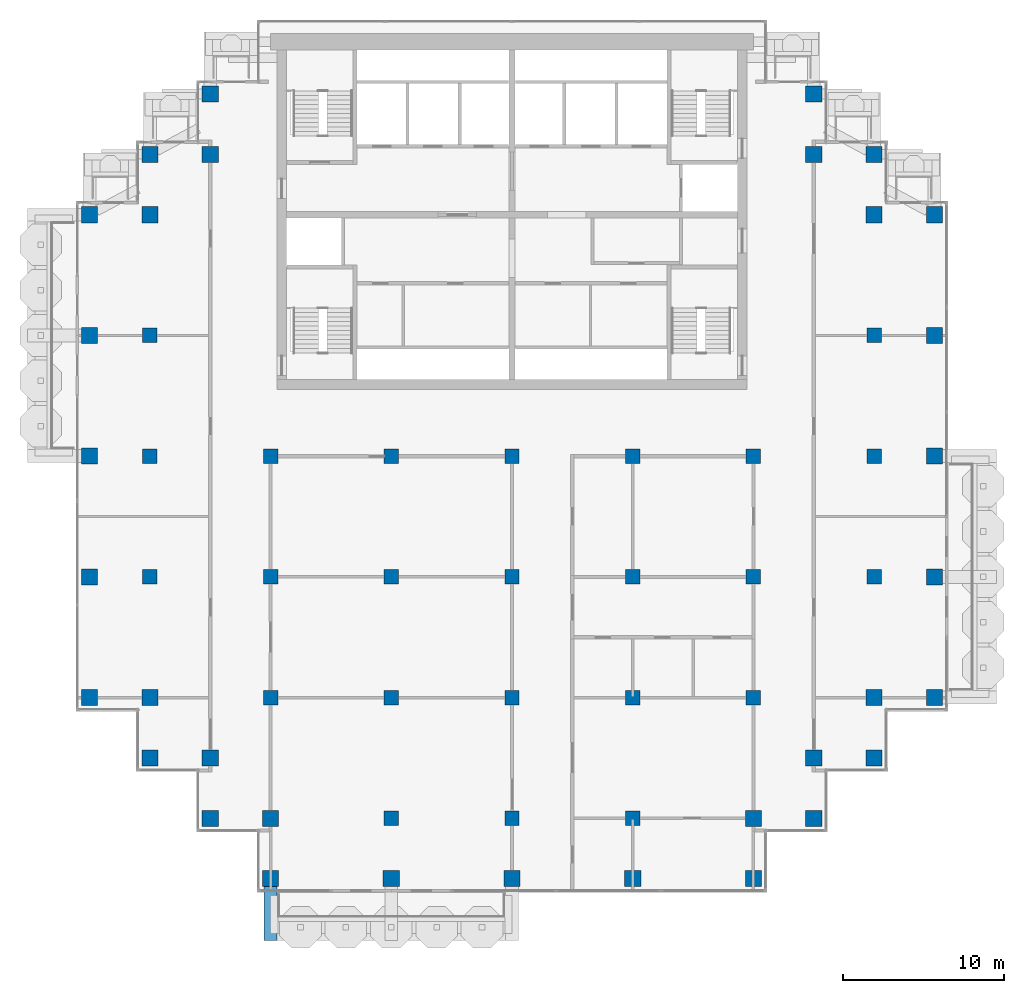
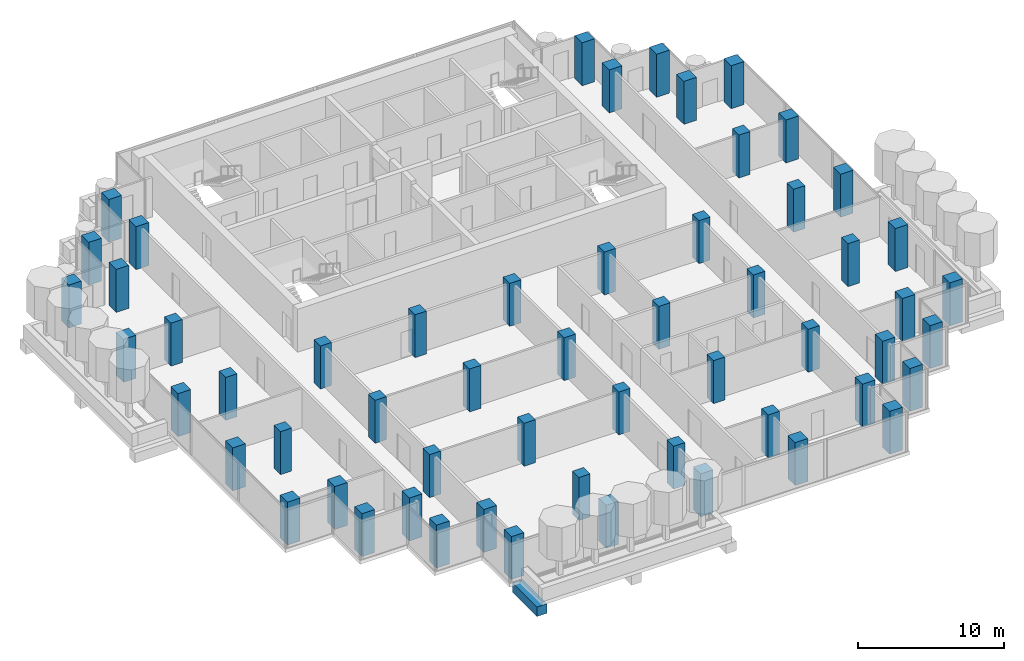
# One storey, part 1 of 18: 57 columns, 1 beam.
"""IFC4 building model written with IfcOpenShell, lengths in metres."""

import ifcopenshell
import ifcopenshell.guid

model = None  # the IFC model being written
_history = None  # IfcOwnerHistory: only IFC2X3 demands one
_inside = {}  # id of a spatial element -> (the spatial element, [elements in it])
_under = {}  # id of a project, library or spatial element -> (it, [spatial elements below it])
_declared = {}  # id of a project -> (the project, [libraries it declares])
_typed = {}  # id of a type object -> (the type object, [elements of that type])
_made_of = {}  # id of a material, layer set ... -> (it, [elements and type objects made of it])


def new_model(schema):
    """Start an empty IFC model of exactly this schema.

    Asked for "IFC4X3", IfcOpenShell would pick the latest addendum, in which some entities
    have other attributes; the version numbers below select the first issue.
    IFC2X3 requires an IfcOwnerHistory on every rooted entity: one is made here for all.
    """
    global model, _history
    if schema == "IFC4X3":
        model = ifcopenshell.file(schema_version=(4, 3, 0, 0))
    else:
        model = ifcopenshell.file(schema=schema)
    _inside.clear()
    _under.clear()
    _declared.clear()
    _typed.clear()
    _made_of.clear()
    _history = None
    if model.schema == "IFC2X3":
        org = make("IfcOrganization", Name="unknown")
        user = make(
            "IfcPersonAndOrganization",
            ThePerson=make("IfcPerson", FamilyName="unknown"),
            TheOrganization=org,
        )
        app = make(
            "IfcApplication",
            ApplicationDeveloper=org,
            Version="unknown",
            ApplicationFullName="unknown",
            ApplicationIdentifier="unknown",
        )
        _history = make(
            "IfcOwnerHistory",
            OwningUser=user,
            OwningApplication=app,
            ChangeAction="ADDED",
            CreationDate=0,
        )
    return model


def make(cls, **values):
    """One entity of the class cls with the attributes given. An attribute that is None is left unset."""
    return model.create_entity(
        cls, **{name: value for name, value in values.items() if value is not None}
    )


def rooted(cls, **values):
    """An entity with a GlobalId (a new one), such as an element, a storey or a relation."""
    return make(cls, GlobalId=ifcopenshell.guid.new(), OwnerHistory=_history, **values)


def si_unit(unit_type, name, prefix=None):
    """IfcSIUnit, for example si_unit("LENGTHUNIT", "METRE", prefix="MILLI")."""
    return make("IfcSIUnit", UnitType=unit_type, Prefix=prefix, Name=name)


def assignment(units):
    """IfcUnitAssignment: the units of a project."""
    return None if units is None else make("IfcUnitAssignment", Units=units)


def point(xyz):
    """IfcCartesianPoint."""
    return None if xyz is None else make("IfcCartesianPoint", Coordinates=xyz)


def direction(xyz):
    """IfcDirection."""
    return None if xyz is None else make("IfcDirection", DirectionRatios=xyz)


def frame(location, z_axis=None, x_axis=None):
    """IfcAxis2Placement3D, a coordinate frame: its origin and axes. An axis left out is left unset."""
    return make(
        "IfcAxis2Placement3D",
        Location=point(location),
        Axis=direction(z_axis),
        RefDirection=direction(x_axis),
    )


def frame_2d(location, x_axis=None):
    """IfcAxis2Placement2D, a coordinate frame in the plane: its origin and x axis."""
    return make(
        "IfcAxis2Placement2D", Location=point(location), RefDirection=direction(x_axis)
    )


def origin():
    """The frame at (0, 0, 0) with its axes left unset."""
    return frame((0.0, 0.0, 0.0))


def origin_2d():
    """The frame at (0, 0) in the plane with its x axis left unset."""
    return frame_2d((0.0, 0.0))


def place(relative_to, where):
    """IfcLocalPlacement: puts the frame where relative to a parent placement (None: the world)."""
    return make(
        "IfcLocalPlacement", PlacementRelTo=relative_to, RelativePlacement=where
    )


def context(
    kind, dimensions, precision=None, world=None, true_north=None, identifier=None
):
    """IfcGeometricRepresentationContext, for example the 3D "Model" context."""
    return make(
        "IfcGeometricRepresentationContext",
        ContextIdentifier=identifier,
        ContextType=kind,
        CoordinateSpaceDimension=dimensions,
        Precision=precision,
        WorldCoordinateSystem=world,
        TrueNorth=true_north,
    )


def subcontext(parent, identifier, kind, view, scale=None):
    """IfcGeometricRepresentationSubContext, for example "Body" below "Model"."""
    return make(
        "IfcGeometricRepresentationSubContext",
        ContextIdentifier=identifier,
        ContextType=kind,
        ParentContext=parent,
        TargetScale=scale,
        TargetView=view,
    )


def project(units=None, contexts=None):
    """IfcProject with its units and contexts."""
    return rooted(
        "IfcProject",
        Name="project",
        RepresentationContexts=contexts,
        UnitsInContext=assignment(units),
    )


def spatial(cls, under=None, at=None, **own):
    """A site, building, storey or space (cls), placed at a placement, below another one or the project."""
    s = rooted(cls, ObjectPlacement=at, **own)
    if under is not None:
        _under.setdefault(under.id(), (under, []))[1].append(s)
    return s


def profile(cls, at=None, kind="AREA", **sizes):
    """A parametric profile (cls). Its sizes go by their IFC names, for example OverallWidth=200.0."""
    return make(cls, ProfileType=kind, Position=at, **sizes)


def rectangle(**sizes):
    """IfcRectangleProfileDef."""
    return profile("IfcRectangleProfileDef", **sizes)


def extrude(swept, where, along, depth):
    """IfcExtrudedAreaSolid: the profile swept, set in the frame where, extruded along a direction by depth."""
    return make(
        "IfcExtrudedAreaSolid",
        SweptArea=swept,
        Position=where,
        ExtrudedDirection=direction(along),
        Depth=depth,
    )


def shape(context_of_items, identifier, shape_type, items):
    """IfcShapeRepresentation: the items that make up one representation, for example the "Body"."""
    return make(
        "IfcShapeRepresentation",
        ContextOfItems=context_of_items,
        RepresentationIdentifier=identifier,
        RepresentationType=shape_type,
        Items=items,
    )


def material(Name=None, Category=None):
    """IfcMaterial."""
    return make("IfcMaterial", Name=Name, Category=Category)


def material_profile(
    of_material, cross_section, Name=None, Category=None, Priority=None
):
    """IfcMaterialProfile: a cross section and its material."""
    return make(
        "IfcMaterialProfile",
        Name=Name,
        Material=of_material,
        Profile=cross_section,
        Priority=Priority,
        Category=Category,
    )


def profile_set(profiles, Name=None, composite=None):
    """IfcMaterialProfileSet."""
    return make(
        "IfcMaterialProfileSet",
        Name=Name,
        MaterialProfiles=profiles,
        CompositeProfile=composite,
    )


def made_of(thing, what):
    """Note that an element or type object is made of a material, layer set ...; save() writes the relation."""
    if what is not None:
        _made_of.setdefault(what.id(), (what, []))[1].append(thing)
    return thing


def type_object(cls, material=None, **own):
    """A type object (cls), such as IfcWallType, which elements share."""
    return made_of(rooted(cls, **own), material)


def element(
    cls,
    number,
    at=None,
    inside=None,
    cuts=None,
    type_object=None,
    material=None,
    context=None,
    identifier="Body",
    shape_type=None,
    held_by="IfcProductDefinitionShape",
    body=None,
    shapes=None,
    **own,
):
    """One element of the class cls, such as IfcWall. Its Tag is "e" and its number.

    at: its placement. inside: the storey or other place that contains it. cuts: it is an
    opening in that element (IfcRelVoidsElement). A single representation is given by context,
    identifier, shape_type and body (its items); several are given by shapes. held_by: the class
    of the entity that holds the representations. save() writes the other relations.
    """
    e = rooted(cls, Tag="e%d" % number, ObjectPlacement=at, **own)
    if body is not None:
        shapes = [shape(context, identifier, shape_type, body)]
    if shapes is not None:
        e.Representation = make(held_by, Representations=shapes)
    if inside is not None:
        _inside.setdefault(inside.id(), (inside, []))[1].append(e)
    if cuts is not None:
        rooted(
            "IfcRelVoidsElement", RelatingBuildingElement=cuts, RelatedOpeningElement=e
        )
    if type_object is not None:
        _typed.setdefault(type_object.id(), (type_object, []))[1].append(e)
    return made_of(e, material)


def aggregate(whole, parts):
    """IfcRelAggregates: a whole, such as a stair, and the parts it consists of."""
    return rooted("IfcRelAggregates", RelatingObject=whole, RelatedObjects=parts)


def save(model, path):
    """Write the relations noted so far, then the file.

    IfcRelAggregates (storeys below a building ...), IfcRelContainedInSpatialStructure (elements
    in a storey), IfcRelDefinesByType, IfcRelAssociatesMaterial and IfcRelDeclares: one each for
    every whole, place, type object, material and project.
    """
    for whole, parts in _under.values():
        aggregate(whole, parts)
    for where, things in _inside.values():
        rooted(
            "IfcRelContainedInSpatialStructure",
            RelatedElements=things,
            RelatingStructure=where,
        )
    for kind, things in _typed.values():
        rooted("IfcRelDefinesByType", RelatedObjects=things, RelatingType=kind)
    for what, things in _made_of.values():
        rooted("IfcRelAssociatesMaterial", RelatedObjects=things, RelatingMaterial=what)
    for by, libraries in _declared.values():
        rooted("IfcRelDeclares", RelatingContext=by, RelatedDefinitions=libraries)
    model.write(path)


model = new_model("IFC4")

# Units and contexts
model_context = context("Model", 3, precision=1e-05, world=origin(), true_north=direction((0.0, 1.0)))
body_context = subcontext(model_context, "Body", "Model", "MODEL_VIEW")
ifc_project = project(units=[si_unit("LENGTHUNIT", "METRE"), si_unit("AREAUNIT", "SQUARE_METRE"), si_unit("VOLUMEUNIT", "CUBIC_METRE"), si_unit("PLANEANGLEUNIT", "RADIAN"), si_unit("MASSUNIT", "GRAM", prefix="KILO")], contexts=[model_context])

# Site, building, storey
site_placement = place(None, origin())
site = spatial("IfcSite", under=ifc_project, at=site_placement, CompositionType="ELEMENT")
building_placement = place(site_placement, origin())
building = spatial("IfcBuilding", under=site, at=building_placement, Name="Pilkhan Gate Tower", CompositionType="ELEMENT")
storey_placement = place(building_placement, frame((0.0, 0.0, 221.10009765625)))
storey = spatial("IfcBuildingStorey", under=building, at=storey_placement, Name="L57", CompositionType="ELEMENT", Elevation=221.10009765625)

# Columns
ifc_material = material(Name="Concrete C50/60", Category="concrete")
ifc_material_profile_1 = material_profile(ifc_material, rectangle(XDim=1.0, YDim=1.0, at=origin_2d()), Name="RC 1000x1000")
ifc_profile_set_1 = profile_set([ifc_material_profile_1], Name="Concrete C50/60")
column_type_1 = type_object("IfcColumnType", Name="Column C100 RC 1000x1000 C50/60", PredefinedType="COLUMN", material=ifc_profile_set_1)
for number, where, z_axis, x_axis, name in (
    (1, (48.75, 52.5, 0.0), (0.0, 0.0, 1.0), (1.0, 0.0, 0.0), "Column 4/D L57"),
    (2, (48.75, 60.0, 0.0), (0.0, 0.0, 1.0), (1.0, 0.0, 0.0), "Column 4/F L57"),
    (3, (48.75, 67.5, 0.0), (0.0, 0.0, 1.0), (1.0, 0.0, 0.0), "Column 4/H L57"),
    (4, (48.75, 75.0, 0.0), (0.0, 0.0, 1.0), (1.0, 0.0, 0.0), "Column 4/K L57"),
    (5, (48.75, 82.5, 0.0), (0.0, 0.0, 1.0), (1.0, 0.0, 0.0), "Column 4/M L57"),
    (6, (52.5, 48.75, 0.0), (0.0, 0.0, 1.0), (1.0, 0.0, 0.0), "Column 5/C L57"),
    (7, (52.5, 52.5, 0.0), (0.0, 0.0, 1.0), (1.0, 0.0, 0.0), "Column 5/D L57"),
    (8, (52.5, 82.5, 0.0), (0.0, 0.0, 1.0), (1.0, 0.0, 0.0), "Column 5/M L57"),
    (9, (52.5, 86.25, 0.0), (0.0, 0.0, 1.0), (1.0, 0.0, 0.0), "Column 5/N L57"),
    (10, (56.25, 45.0, 0.0), (0.0, 0.0, 1.0), (1.0, 0.0, 0.0), "Column 6/B L57"),
    (11, (56.25, 48.75, 0.0), (0.0, 0.0, 1.0), (1.0, 0.0, 0.0), "Column 6/C L57"),
    (12, (56.25, 86.25, 0.0), (0.0, 0.0, 1.0), (1.0, 0.0, 0.0), "Column 6/N L57"),
    (13, (56.25, 90.0, 0.0), (0.0, 0.0, 1.0), (1.0, 0.0, 0.0), "Column 6/P L57"),
    (14, (60.0, 41.25, 0.0), (0.0, 0.0, 1.0), (1.0, 0.0, 0.0), "Column 7/A L57"),
    (15, (60.0, 45.0, 0.0), (0.0, 0.0, 1.0), (1.0, 0.0, 0.0), "Column 7/B L57"),
    (16, (67.5, 41.25, 0.0), (0.0, 0.0, 1.0), (1.0, 0.0, 0.0), "Column 9/A L57"),
    (17, (75.0, 41.25, 0.0), (0.0, 0.0, 1.0), (1.0, 0.0, 0.0), "Column 11/A L57"),
    (18, (82.5, 41.25, 0.0), (0.0, 0.0, 1.0), (1.0, 0.0, 0.0), "Column 13/A L57"),
    (19, (90.0, 41.25, 0.0), (0.0, 0.0, 1.0), (1.0, 0.0, 0.0), "Column 15/A L57"),
    (20, (90.0, 45.0, 0.0), (0.0, 0.0, 1.0), (1.0, 0.0, 0.0), "Column 15/B L57"),
    (21, (93.75, 45.0, 0.0), (0.0, 0.0, 1.0), (1.0, 0.0, 0.0), "Column 16/B L57"),
    (22, (93.75, 48.75, 0.0), (0.0, 0.0, 1.0), (1.0, 0.0, 0.0), "Column 16/C L57"),
    (23, (93.75, 86.25, 0.0), (0.0, 0.0, 1.0), (1.0, 0.0, 0.0), "Column 16/N L57"),
    (24, (93.75, 90.0, 0.0), (0.0, 0.0, 1.0), (1.0, 0.0, 0.0), "Column 16/P L57"),
    (25, (97.5, 48.75, 0.0), (0.0, 0.0, 1.0), (1.0, 0.0, 0.0), "Column 17/C L57"),
    (26, (97.5, 52.5, 0.0), (0.0, 0.0, 1.0), (1.0, 0.0, 0.0), "Column 17/D L57"),
    (27, (97.5, 82.5, 0.0), (0.0, 0.0, 1.0), (1.0, 0.0, 0.0), "Column 17/M L57"),
    (28, (97.5, 86.25, 0.0), (0.0, 0.0, 1.0), (1.0, 0.0, 0.0), "Column 17/N L57"),
    (29, (101.25, 52.5, 0.0), (0.0, 0.0, 1.0), (1.0, 0.0, 0.0), "Column 18/D L57"),
    (30, (101.25, 60.0, 0.0), (0.0, 0.0, 1.0), (1.0, 0.0, 0.0), "Column 18/F L57"),
    (31, (101.25, 67.5, 0.0), (0.0, 0.0, 1.0), (1.0, 0.0, 0.0), "Column 18/H L57"),
    (32, (101.25, 75.0, 0.0), (0.0, 0.0, 1.0), (1.0, 0.0, 0.0), "Column 18/K L57"),
    (33, (101.25, 82.5, 0.0), (0.0, 0.0, 1.0), (1.0, 0.0, 0.0), "Column 18/M L57"),
):
    element("IfcColumn", number, at=place(storey_placement, frame(where, z_axis=z_axis, x_axis=x_axis)), inside=storey, type_object=column_type_1, Name=name, PredefinedType="COLUMN", context=body_context, shape_type="SweptSolid", body=[
        extrude(rectangle(XDim=1.0, YDim=1.0, at=origin_2d()), origin(), (0.0, 0.0, 1.0), 3.599853515625),
    ])
ifc_material_profile_2 = material_profile(ifc_material, rectangle(XDim=0.89990234375, YDim=0.89990234375, at=origin_2d()), Name="RC 900x900")
ifc_profile_set_2 = profile_set([ifc_material_profile_2], Name="Concrete C50/60")
column_type_2 = type_object("IfcColumnType", Name="Column C90 RC 900x900 C50/60", PredefinedType="COLUMN", material=ifc_profile_set_2)
for number, where, z_axis, x_axis, name in (
    (34, (52.5, 60.0, 0.0), (0.0, 0.0, 1.0), (1.0, 0.0, 0.0), "Column 5/F L57"),
    (35, (52.5, 67.5, 0.0), (0.0, 0.0, 1.0), (1.0, 0.0, 0.0), "Column 5/H L57"),
    (36, (52.5, 75.0, 0.0), (0.0, 0.0, 1.0), (1.0, 0.0, 0.0), "Column 5/K L57"),
    (37, (60.0, 52.5, 0.0), (0.0, 0.0, 1.0), (1.0, 0.0, 0.0), "Column 7/D L57"),
    (38, (60.0, 60.0, 0.0), (0.0, 0.0, 1.0), (1.0, 0.0, 0.0), "Column 7/F L57"),
    (39, (60.0, 67.5, 0.0), (0.0, 0.0, 1.0), (1.0, 0.0, 0.0), "Column 7/H L57"),
    (40, (67.5, 45.0, 0.0), (0.0, 0.0, 1.0), (1.0, 0.0, 0.0), "Column 9/B L57"),
    (41, (67.5, 52.5, 0.0), (0.0, 0.0, 1.0), (1.0, 0.0, 0.0), "Column 9/D L57"),
    (42, (67.5, 60.0, 0.0), (0.0, 0.0, 1.0), (1.0, 0.0, 0.0), "Column 9/F L57"),
    (43, (67.5, 67.5, 0.0), (0.0, 0.0, 1.0), (1.0, 0.0, 0.0), "Column 9/H L57"),
    (44, (75.0, 45.0, 0.0), (0.0, 0.0, 1.0), (1.0, 0.0, 0.0), "Column 11/B L57"),
    (45, (75.0, 52.5, 0.0), (0.0, 0.0, 1.0), (1.0, 0.0, 0.0), "Column 11/D L57"),
    (46, (75.0, 60.0, 0.0), (0.0, 0.0, 1.0), (1.0, 0.0, 0.0), "Column 11/F L57"),
    (47, (75.0, 67.5, 0.0), (0.0, 0.0, 1.0), (1.0, 0.0, 0.0), "Column 11/H L57"),
    (48, (82.5, 45.0, 0.0), (0.0, 0.0, 1.0), (1.0, 0.0, 0.0), "Column 13/B L57"),
    (49, (82.5, 52.5, 0.0), (0.0, 0.0, 1.0), (1.0, 0.0, 0.0), "Column 13/D L57"),
    (50, (82.5, 60.0, 0.0), (0.0, 0.0, 1.0), (1.0, 0.0, 0.0), "Column 13/F L57"),
    (51, (82.5, 67.5, 0.0), (0.0, 0.0, 1.0), (1.0, 0.0, 0.0), "Column 13/H L57"),
    (52, (90.0, 52.5, 0.0), (0.0, 0.0, 1.0), (1.0, 0.0, 0.0), "Column 15/D L57"),
    (53, (90.0, 60.0, 0.0), (0.0, 0.0, 1.0), (1.0, 0.0, 0.0), "Column 15/F L57"),
    (54, (90.0, 67.5, 0.0), (0.0, 0.0, 1.0), (1.0, 0.0, 0.0), "Column 15/H L57"),
    (55, (97.5, 60.0, 0.0), (0.0, 0.0, 1.0), (1.0, 0.0, 0.0), "Column 17/F L57"),
    (56, (97.5, 67.5, 0.0), (0.0, 0.0, 1.0), (1.0, 0.0, 0.0), "Column 17/H L57"),
    (57, (97.5, 75.0, 0.0), (0.0, 0.0, 1.0), (1.0, 0.0, 0.0), "Column 17/K L57"),
):
    element("IfcColumn", number, at=place(storey_placement, frame(where, z_axis=z_axis, x_axis=x_axis)), inside=storey, type_object=column_type_2, Name=name, PredefinedType="COLUMN", context=body_context, shape_type="SweptSolid", body=[
        extrude(rectangle(XDim=0.89990234375, YDim=0.89990234375, at=origin_2d()), origin(), (0.0, 0.0, 1.0), 3.599853515625),
    ])

# Beam
ifc_material_profile_3 = material_profile(ifc_material, rectangle(XDim=0.800048828125, YDim=0.800048828125, at=origin_2d()), Name="RC 800x800")
ifc_profile_set_3 = profile_set([ifc_material_profile_3], Name="Concrete C50/60")
beam_type = type_object("IfcBeamType", Name="Cantilever beam CB2 RC 800x800 C50/60", PredefinedType="BEAM", material=ifc_profile_set_3)
beam_placement = place(storey_placement, frame((60.0, 40.75, -0.7001953125), z_axis=(0.0, -1.0, 0.0), x_axis=(1.0, 0.0, 0.0)))
element("IfcBeam", 58, at=beam_placement, inside=storey, type_object=beam_type, Name="Balcony beam S.1 L57", PredefinedType="BEAM", context=body_context, shape_type="SweptSolid", body=[
    extrude(rectangle(XDim=0.800048828125, YDim=0.800048828125, at=origin_2d()), origin(), (0.0, 0.0, 1.0), 3.35009765625),
])

save(model, "model.ifc")
